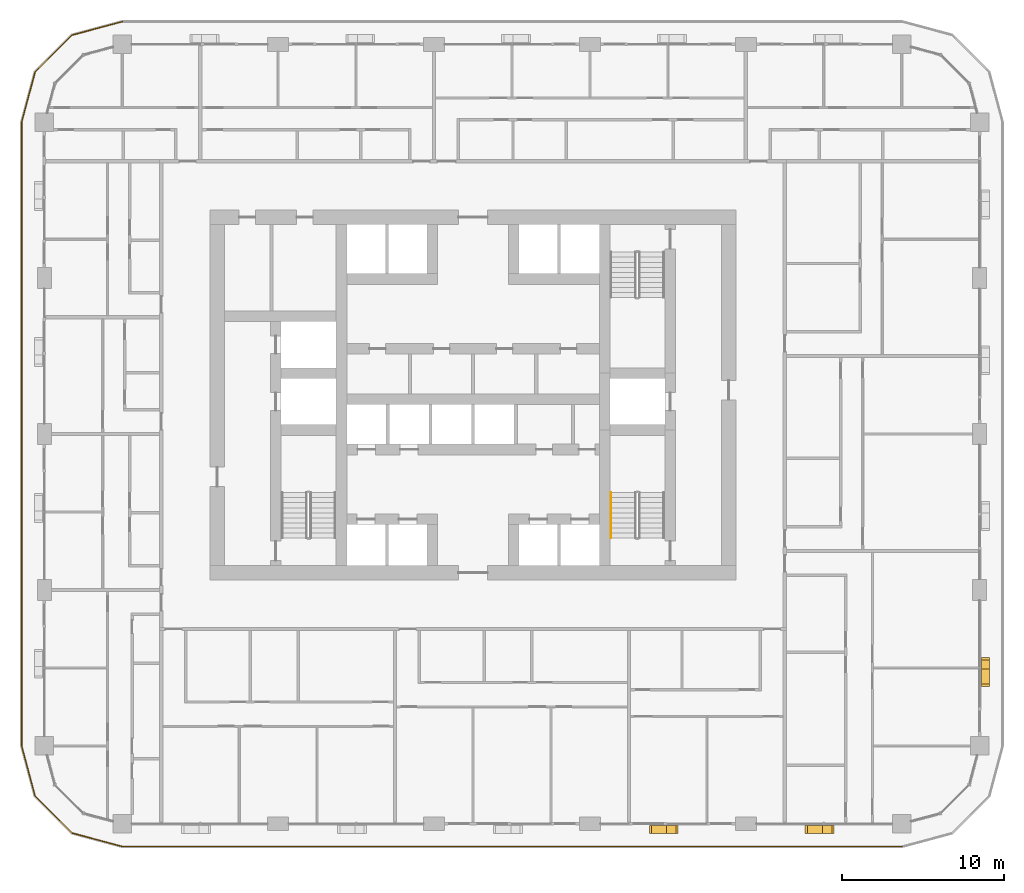
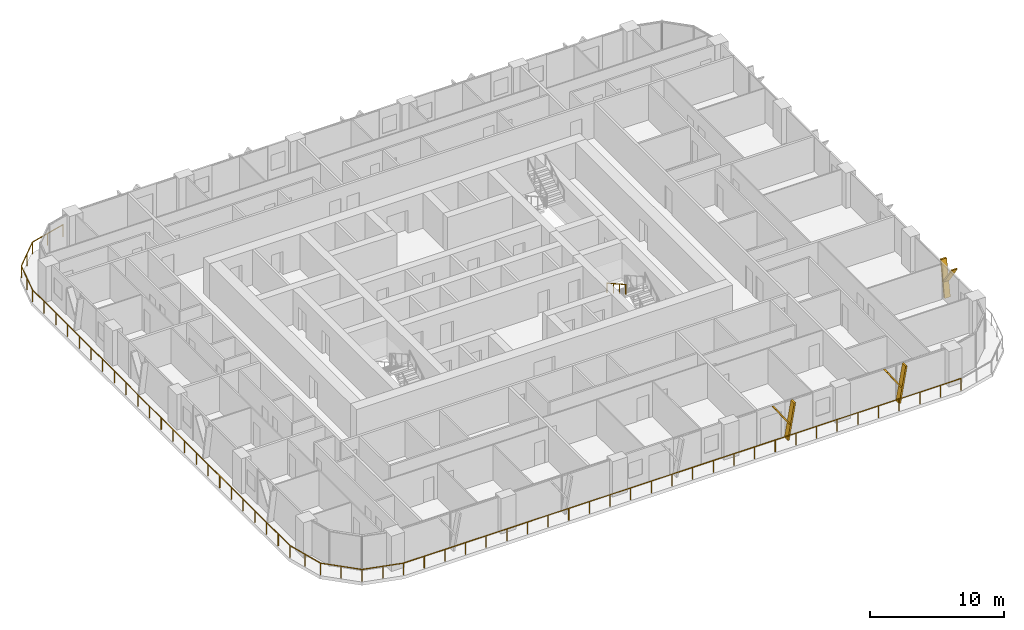
# One storey, part 19 of 22: 6 shading devices, 2 railings.
"""IFC4 building model written with IfcOpenShell, lengths in metres."""

from ifc_helpers import new_model, si_unit, direction, frame, origin, origin_2d, place, context, subcontext, project, spatial, polyline, circle, outline, extrude, material, type_object, element, save


model = new_model("IFC4")

# Units and contexts
model_context = context("Model", 3, precision=1e-05, world=origin(), true_north=direction((0.0, 1.0)))
body_context = subcontext(model_context, "Body", "Model", "MODEL_VIEW")
ifc_project = project(units=[si_unit("LENGTHUNIT", "METRE"), si_unit("AREAUNIT", "SQUARE_METRE"), si_unit("VOLUMEUNIT", "CUBIC_METRE"), si_unit("PLANEANGLEUNIT", "RADIAN"), si_unit("MASSUNIT", "GRAM", prefix="KILO")], contexts=[model_context])

# Site, building, storey
site_placement = place(None, origin())
site = spatial("IfcSite", under=ifc_project, at=site_placement, CompositionType="ELEMENT")
building_placement = place(site_placement, origin())
building = spatial("IfcBuilding", under=site, at=building_placement, Name="Madar Terraces", CompositionType="ELEMENT")
storey_placement = place(building_placement, frame((0.0, 0.0, 59.300048828125)))
storey = spatial("IfcBuildingStorey", under=building, at=storey_placement, Name="L14", CompositionType="ELEMENT", Elevation=59.300048828125)

# Railing
ifc_material_1 = material(Name="Glass, safety glazing, with stainless steel posts", Category="steel")
railing_type_1 = type_object("IfcRailingType", Name="Balcony glass guard 1100", PredefinedType="GUARDRAIL", material=ifc_material_1)
railing_1_placement = place(storey_placement, frame((9.60009765625, 49.39990234375, 0.0)))
element("IfcRailing", 1, at=railing_1_placement, inside=storey, type_object=railing_type_1, Name="Balcony guard", PredefinedType="GUARDRAIL", context=body_context, shape_type="SweptSolid", body=[
    extrude(circle(Radius=0.02392578125, at=origin_2d()), frame((0.0, 0.0, 1.076171875), z_axis=(-0.9659337912, -0.258789317819, 0.0), x_axis=(0.258789317819, -0.9659337912, 0.0)), (0.0, 0.0, 1.0), 3.20947265625),
    extrude(circle(Radius=0.02392578125, at=origin_2d()), frame((-3.10009765625, -0.83056640625, 1.076171875), z_axis=(-0.707106781187, -0.707106781187, 0.0), x_axis=(0.707106781187, -0.707106781187, 0.0)), (0.0, 0.0, 1.0), 3.209228515625),
    extrude(circle(Radius=0.02392578125, at=origin_2d()), frame((-5.369384765625, -3.099853515625, 1.076171875), z_axis=(-0.258860290944, -0.965914773555, 0.0), x_axis=(0.965914773555, -0.258860290944, 0.0)), (0.0, 0.0, 1.0), 3.20947265625),
    extrude(circle(Radius=0.02392578125, at=origin_2d()), frame((-6.2001953125, -6.199951171875, 1.076171875), z_axis=(0.0, -1.0, 0.0), x_axis=(1.0, 0.0, 0.0)), (0.0, 0.0, 1.0), 38.39990234375),
    extrude(circle(Radius=0.02392578125, at=origin_2d()), frame((-6.2001953125, -44.599853515625, 1.076171875), z_axis=(0.258860290944, -0.965914773555, 0.0), x_axis=(0.965914773555, 0.258860290944, 0.0)), (0.0, 0.0, 1.0), 3.20947265625),
    extrude(circle(Radius=0.02392578125, at=origin_2d()), frame((-5.369384765625, -47.699951171875, 1.076171875), z_axis=(0.707106781187, -0.707106781187, 0.0), x_axis=(0.707106781187, 0.707106781187, 0.0)), (0.0, 0.0, 1.0), 3.209228515625),
    extrude(circle(Radius=0.02392578125, at=origin_2d()), frame((-3.10009765625, -49.96923828125, 1.076171875), z_axis=(0.9659337912, -0.258789317819, 0.0), x_axis=(0.258789317819, 0.9659337912, 0.0)), (0.0, 0.0, 1.0), 3.20947265625),
    extrude(circle(Radius=0.02392578125, at=origin_2d()), frame((0.0, -50.7998046875, 1.076171875), z_axis=(1.0, 0.0, 0.0), x_axis=(0.0, 1.0, 0.0)), (0.0, 0.0, 1.0), 48.0),
    extrude(circle(Radius=0.02099609375, at=origin_2d()), origin(), (0.0, 0.0, 1.0), 1.052001953125),
    extrude(circle(Radius=0.02099609375, at=origin_2d()), frame((-1.550048828125, -0.415283203125, 0.0)), (0.0, 0.0, 1.0), 1.052001953125),
    extrude(circle(Radius=0.02099609375, at=origin_2d()), frame((-3.10009765625, -0.83056640625, 0.0)), (0.0, 0.0, 1.0), 1.052001953125),
    extrude(circle(Radius=0.02099609375, at=origin_2d()), frame((-4.23486328125, -1.96533203125, 0.0)), (0.0, 0.0, 1.0), 1.052001953125),
    extrude(circle(Radius=0.02099609375, at=origin_2d()), frame((-5.369384765625, -3.099853515625, 0.0)), (0.0, 0.0, 1.0), 1.052001953125),
    extrude(circle(Radius=0.02099609375, at=origin_2d()), frame((-5.78466796875, -4.64990234375, 0.0)), (0.0, 0.0, 1.0), 1.052001953125),
    extrude(circle(Radius=0.02099609375, at=origin_2d()), frame((-6.2001953125, -6.199951171875, 0.0)), (0.0, 0.0, 1.0), 1.052001953125),
    extrude(circle(Radius=0.02099609375, at=origin_2d()), frame((-6.2001953125, -7.9453125, 0.0)), (0.0, 0.0, 1.0), 1.052001953125),
    extrude(circle(Radius=0.02099609375, at=origin_2d()), frame((-6.2001953125, -9.69091796875, 0.0)), (0.0, 0.0, 1.0), 1.052001953125),
    extrude(circle(Radius=0.02099609375, at=origin_2d()), frame((-6.2001953125, -11.436279296875, 0.0)), (0.0, 0.0, 1.0), 1.052001953125),
    extrude(circle(Radius=0.02099609375, at=origin_2d()), frame((-6.2001953125, -13.181640625, 0.0)), (0.0, 0.0, 1.0), 1.052001953125),
    extrude(circle(Radius=0.02099609375, at=origin_2d()), frame((-6.2001953125, -14.92724609375, 0.0)), (0.0, 0.0, 1.0), 1.052001953125),
    extrude(circle(Radius=0.02099609375, at=origin_2d()), frame((-6.2001953125, -16.672607421875, 0.0)), (0.0, 0.0, 1.0), 1.052001953125),
    extrude(circle(Radius=0.02099609375, at=origin_2d()), frame((-6.2001953125, -18.418212890625, 0.0)), (0.0, 0.0, 1.0), 1.052001953125),
    extrude(circle(Radius=0.02099609375, at=origin_2d()), frame((-6.2001953125, -20.16357421875, 0.0)), (0.0, 0.0, 1.0), 1.052001953125),
    extrude(circle(Radius=0.02099609375, at=origin_2d()), frame((-6.2001953125, -21.908935546875, 0.0)), (0.0, 0.0, 1.0), 1.052001953125),
    extrude(circle(Radius=0.02099609375, at=origin_2d()), frame((-6.2001953125, -23.654541015625, 0.0)), (0.0, 0.0, 1.0), 1.052001953125),
    extrude(circle(Radius=0.02099609375, at=origin_2d()), frame((-6.2001953125, -25.39990234375, 0.0)), (0.0, 0.0, 1.0), 1.052001953125),
    extrude(circle(Radius=0.02099609375, at=origin_2d()), frame((-6.2001953125, -27.145263671875, 0.0)), (0.0, 0.0, 1.0), 1.052001953125),
    extrude(circle(Radius=0.02099609375, at=origin_2d()), frame((-6.2001953125, -28.890869140625, 0.0)), (0.0, 0.0, 1.0), 1.052001953125),
    extrude(circle(Radius=0.02099609375, at=origin_2d()), frame((-6.2001953125, -30.63623046875, 0.0)), (0.0, 0.0, 1.0), 1.052001953125),
    extrude(circle(Radius=0.02099609375, at=origin_2d()), frame((-6.2001953125, -32.381591796875, 0.0)), (0.0, 0.0, 1.0), 1.052001953125),
    extrude(circle(Radius=0.02099609375, at=origin_2d()), frame((-6.2001953125, -34.127197265625, 0.0)), (0.0, 0.0, 1.0), 1.052001953125),
    extrude(circle(Radius=0.02099609375, at=origin_2d()), frame((-6.2001953125, -35.87255859375, 0.0)), (0.0, 0.0, 1.0), 1.052001953125),
    extrude(circle(Radius=0.02099609375, at=origin_2d()), frame((-6.2001953125, -37.6181640625, 0.0)), (0.0, 0.0, 1.0), 1.052001953125),
    extrude(circle(Radius=0.02099609375, at=origin_2d()), frame((-6.2001953125, -39.363525390625, 0.0)), (0.0, 0.0, 1.0), 1.052001953125),
    extrude(circle(Radius=0.02099609375, at=origin_2d()), frame((-6.2001953125, -41.10888671875, 0.0)), (0.0, 0.0, 1.0), 1.052001953125),
    extrude(circle(Radius=0.02099609375, at=origin_2d()), frame((-6.2001953125, -42.8544921875, 0.0)), (0.0, 0.0, 1.0), 1.052001953125),
    extrude(circle(Radius=0.02099609375, at=origin_2d()), frame((-6.2001953125, -44.599853515625, 0.0)), (0.0, 0.0, 1.0), 1.052001953125),
    extrude(circle(Radius=0.02099609375, at=origin_2d()), frame((-5.78466796875, -46.14990234375, 0.0)), (0.0, 0.0, 1.0), 1.052001953125),
    extrude(circle(Radius=0.02099609375, at=origin_2d()), frame((-5.369384765625, -47.699951171875, 0.0)), (0.0, 0.0, 1.0), 1.052001953125),
    extrude(circle(Radius=0.02099609375, at=origin_2d()), frame((-4.23486328125, -48.83447265625, 0.0)), (0.0, 0.0, 1.0), 1.052001953125),
    extrude(circle(Radius=0.02099609375, at=origin_2d()), frame((-3.10009765625, -49.96923828125, 0.0)), (0.0, 0.0, 1.0), 1.052001953125),
    extrude(circle(Radius=0.02099609375, at=origin_2d()), frame((-1.550048828125, -50.384521484375, 0.0)), (0.0, 0.0, 1.0), 1.052001953125),
    extrude(circle(Radius=0.02099609375, at=origin_2d()), frame((0.0, -50.7998046875, 0.0)), (0.0, 0.0, 1.0), 1.052001953125),
    extrude(circle(Radius=0.02099609375, at=origin_2d()), frame((1.77783203125, -50.7998046875, 0.0)), (0.0, 0.0, 1.0), 1.052001953125),
    extrude(circle(Radius=0.02099609375, at=origin_2d()), frame((3.5556640625, -50.7998046875, 0.0)), (0.0, 0.0, 1.0), 1.052001953125),
    extrude(circle(Radius=0.02099609375, at=origin_2d()), frame((5.333251953125, -50.7998046875, 0.0)), (0.0, 0.0, 1.0), 1.052001953125),
    extrude(circle(Radius=0.02099609375, at=origin_2d()), frame((7.111083984375, -50.7998046875, 0.0)), (0.0, 0.0, 1.0), 1.052001953125),
    extrude(circle(Radius=0.02099609375, at=origin_2d()), frame((8.888916015625, -50.7998046875, 0.0)), (0.0, 0.0, 1.0), 1.052001953125),
    extrude(circle(Radius=0.02099609375, at=origin_2d()), frame((10.666748046875, -50.7998046875, 0.0)), (0.0, 0.0, 1.0), 1.052001953125),
    extrude(circle(Radius=0.02099609375, at=origin_2d()), frame((12.4443359375, -50.7998046875, 0.0)), (0.0, 0.0, 1.0), 1.052001953125),
    extrude(circle(Radius=0.02099609375, at=origin_2d()), frame((14.22216796875, -50.7998046875, 0.0)), (0.0, 0.0, 1.0), 1.052001953125),
    extrude(circle(Radius=0.02099609375, at=origin_2d()), frame((16.0, -50.7998046875, 0.0)), (0.0, 0.0, 1.0), 1.052001953125),
    extrude(circle(Radius=0.02099609375, at=origin_2d()), frame((17.77783203125, -50.7998046875, 0.0)), (0.0, 0.0, 1.0), 1.052001953125),
    extrude(circle(Radius=0.02099609375, at=origin_2d()), frame((19.5556640625, -50.7998046875, 0.0)), (0.0, 0.0, 1.0), 1.052001953125),
    extrude(circle(Radius=0.02099609375, at=origin_2d()), frame((21.333251953125, -50.7998046875, 0.0)), (0.0, 0.0, 1.0), 1.052001953125),
    extrude(circle(Radius=0.02099609375, at=origin_2d()), frame((23.111083984375, -50.7998046875, 0.0)), (0.0, 0.0, 1.0), 1.052001953125),
    extrude(circle(Radius=0.02099609375, at=origin_2d()), frame((24.888916015625, -50.7998046875, 0.0)), (0.0, 0.0, 1.0), 1.052001953125),
    extrude(circle(Radius=0.02099609375, at=origin_2d()), frame((26.666748046875, -50.7998046875, 0.0)), (0.0, 0.0, 1.0), 1.052001953125),
    extrude(circle(Radius=0.02099609375, at=origin_2d()), frame((28.4443359375, -50.7998046875, 0.0)), (0.0, 0.0, 1.0), 1.052001953125),
    extrude(circle(Radius=0.02099609375, at=origin_2d()), frame((30.22216796875, -50.7998046875, 0.0)), (0.0, 0.0, 1.0), 1.052001953125),
    extrude(circle(Radius=0.02099609375, at=origin_2d()), frame((32.0, -50.7998046875, 0.0)), (0.0, 0.0, 1.0), 1.052001953125),
    extrude(circle(Radius=0.02099609375, at=origin_2d()), frame((33.77783203125, -50.7998046875, 0.0)), (0.0, 0.0, 1.0), 1.052001953125),
    extrude(circle(Radius=0.02099609375, at=origin_2d()), frame((35.5556640625, -50.7998046875, 0.0)), (0.0, 0.0, 1.0), 1.052001953125),
    extrude(circle(Radius=0.02099609375, at=origin_2d()), frame((37.333251953125, -50.7998046875, 0.0)), (0.0, 0.0, 1.0), 1.052001953125),
    extrude(circle(Radius=0.02099609375, at=origin_2d()), frame((39.111083984375, -50.7998046875, 0.0)), (0.0, 0.0, 1.0), 1.052001953125),
    extrude(circle(Radius=0.02099609375, at=origin_2d()), frame((40.888916015625, -50.7998046875, 0.0)), (0.0, 0.0, 1.0), 1.052001953125),
    extrude(circle(Radius=0.02099609375, at=origin_2d()), frame((42.666748046875, -50.7998046875, 0.0)), (0.0, 0.0, 1.0), 1.052001953125),
    extrude(circle(Radius=0.02099609375, at=origin_2d()), frame((44.4443359375, -50.7998046875, 0.0)), (0.0, 0.0, 1.0), 1.052001953125),
    extrude(circle(Radius=0.02099609375, at=origin_2d()), frame((46.22216796875, -50.7998046875, 0.0)), (0.0, 0.0, 1.0), 1.052001953125),
    extrude(circle(Radius=0.02099609375, at=origin_2d()), frame((48.0, -50.7998046875, 0.0)), (0.0, 0.0, 1.0), 1.052001953125),
])

# Shading devices
ifc_material_2 = material(Name="Aluminium, black anodised", Category="aluminium")
shading_device_type = type_object("IfcShadingDeviceType", Name="Facade fin blade 140 x 500", PredefinedType="USERDEFINED", material=ifc_material_2)
shading_device_1_placement = place(storey_placement, frame((43.1298828125, -0.35009765625, 0.0), z_axis=(0.0, 0.0, 1.0), x_axis=(1.0, 0.0, 0.0)))
element("IfcShadingDevice", 2, at=shading_device_1_placement, inside=storey, type_object=shading_device_type, Name="FIN L14 S4", ObjectType="FIN", PredefinedType="USERDEFINED", context=body_context, shape_type="SweptSolid", body=[
    extrude(outline(polyline([(0.0, 0.0), (0.14013671875, 0.0), (0.704345703125, 3.199951171875), (0.564208984375, 3.199951171875), (0.0, 0.0)])), frame((0.0, 0.25, 0.0), z_axis=(0.0, -1.0, 0.0), x_axis=(1.0, 0.0, 0.0)), (0.0, 0.0, 1.0), 0.5),
])
shading_device_2_placement = place(storey_placement, frame((43.243896484375, -0.35009765625, 1.43994140625), z_axis=(0.0, 0.0, 1.0), x_axis=(1.0, 0.0, 0.0)))
element("IfcShadingDevice", 3, at=shading_device_2_placement, inside=storey, type_object=shading_device_type, Name="FIN L14 S4 branch", ObjectType="FIN", PredefinedType="USERDEFINED", context=body_context, shape_type="SweptSolid", body=[
    extrude(outline(polyline([(0.0, 0.0), (0.139892578125, 0.0), (-1.049560546875, 1.760009765625), (-1.189697265625, 1.760009765625), (0.0, 0.0)])), frame((0.0, 0.25, 0.0), z_axis=(0.0, -1.0, 0.0), x_axis=(1.0, 0.0, 0.0)), (0.0, 0.0, 1.0), 0.5),
])
shading_device_3_placement = place(storey_placement, frame((52.72998046875, -0.35009765625, 0.0), z_axis=(0.0, 0.0, 1.0), x_axis=(1.0, 0.0, 0.0)))
element("IfcShadingDevice", 4, at=shading_device_3_placement, inside=storey, type_object=shading_device_type, Name="FIN L14 S5", ObjectType="FIN", PredefinedType="USERDEFINED", context=body_context, shape_type="SweptSolid", body=[
    extrude(outline(polyline([(0.0, 0.0), (0.14013671875, 0.0), (0.704345703125, 3.199951171875), (0.564208984375, 3.199951171875), (0.0, 0.0)])), frame((0.0, 0.25, 0.0), z_axis=(0.0, -1.0, 0.0), x_axis=(1.0, 0.0, 0.0)), (0.0, 0.0, 1.0), 0.5),
])
shading_device_4_placement = place(storey_placement, frame((52.843994140625, -0.35009765625, 1.43994140625), z_axis=(0.0, 0.0, 1.0), x_axis=(1.0, 0.0, 0.0)))
element("IfcShadingDevice", 5, at=shading_device_4_placement, inside=storey, type_object=shading_device_type, Name="FIN L14 S5 branch", ObjectType="FIN", PredefinedType="USERDEFINED", context=body_context, shape_type="SweptSolid", body=[
    extrude(outline(polyline([(0.0, 0.0), (0.139892578125, 0.0), (-1.049560546875, 1.760009765625), (-1.189697265625, 1.760009765625), (0.0, 0.0)])), frame((0.0, 0.25, 0.0), z_axis=(0.0, -1.0, 0.0), x_axis=(1.0, 0.0, 0.0)), (0.0, 0.0, 1.0), 0.5),
])
shading_device_5_placement = place(storey_placement, frame((62.75, 9.530029296875, 0.0), z_axis=(0.0, 0.0, 1.0), x_axis=(0.0, 1.0, 0.0)))
element("IfcShadingDevice", 6, at=shading_device_5_placement, inside=storey, type_object=shading_device_type, Name="FIN L14 E1", ObjectType="FIN", PredefinedType="USERDEFINED", context=body_context, shape_type="SweptSolid", body=[
    extrude(outline(polyline([(0.0, 0.0), (0.139892578125, 0.0), (0.704345703125, 3.199951171875), (0.564208984375, 3.199951171875), (0.0, 0.0)])), frame((0.0, 0.25, 0.0), z_axis=(0.0, -1.0, 0.0), x_axis=(1.0, 0.0, 0.0)), (0.0, 0.0, 1.0), 0.5),
])
shading_device_6_placement = place(storey_placement, frame((62.75, 9.643798828125, 1.43994140625), z_axis=(0.0, 0.0, 1.0), x_axis=(0.0, 1.0, 0.0)))
element("IfcShadingDevice", 7, at=shading_device_6_placement, inside=storey, type_object=shading_device_type, Name="FIN L14 E1 branch", ObjectType="FIN", PredefinedType="USERDEFINED", context=body_context, shape_type="SweptSolid", body=[
    extrude(outline(polyline([(0.0, 0.0), (0.14013671875, 0.0), (-1.049560546875, 1.760009765625), (-1.189697265625, 1.760009765625), (0.0, 0.0)])), frame((0.0, 0.25, 0.0), z_axis=(0.0, -1.0, 0.0), x_axis=(1.0, 0.0, 0.0)), (0.0, 0.0, 1.0), 0.5),
])

# Railing
ifc_material_3 = material(Name="Stainless steel railing", Category="steel")
railing_type_2 = type_object("IfcRailingType", Name="Stair handrail 900", PredefinedType="HANDRAIL", material=ifc_material_3)
railing_2_placement = place(storey_placement, frame((39.699951171875, 20.389892578125, 1.925048828125)))
element("IfcRailing", 8, at=railing_2_placement, inside=storey, type_object=railing_type_2, Name="L14 ST3 stair handrail 2", PredefinedType="HANDRAIL", context=body_context, shape_type="SweptSolid", body=[
    extrude(circle(Radius=0.02392578125, at=origin_2d()), frame((0.0, 0.0, 0.8759765625), z_axis=(0.0, -0.870815363784, 0.491610213684), x_axis=(1.0, 0.0, 0.0)), (0.0, 0.0, 1.0), 3.20361328125),
    extrude(circle(Radius=0.02099609375, at=origin_2d()), origin(), (0.0, 0.0, 1.0), 0.851806640625),
    extrude(circle(Radius=0.02099609375, at=origin_2d()), frame((0.0, -0.929931640625, 0.52490234375)), (0.0, 0.0, 1.0), 0.851806640625),
    extrude(circle(Radius=0.02099609375, at=origin_2d()), frame((0.0, -1.85986328125, 1.050048828125)), (0.0, 0.0, 1.0), 0.851806640625),
    extrude(circle(Radius=0.02099609375, at=origin_2d()), frame((0.0, -2.789794921875, 1.574951171875)), (0.0, 0.0, 1.0), 0.851806640625),
])

save(model, "model.ifc")
